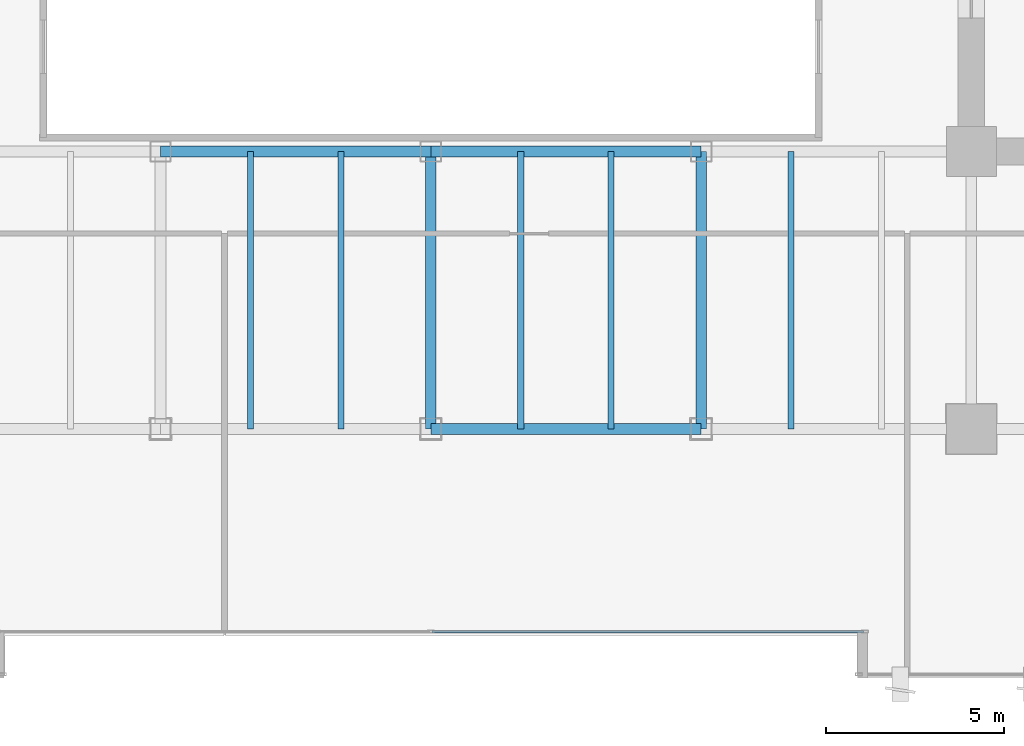
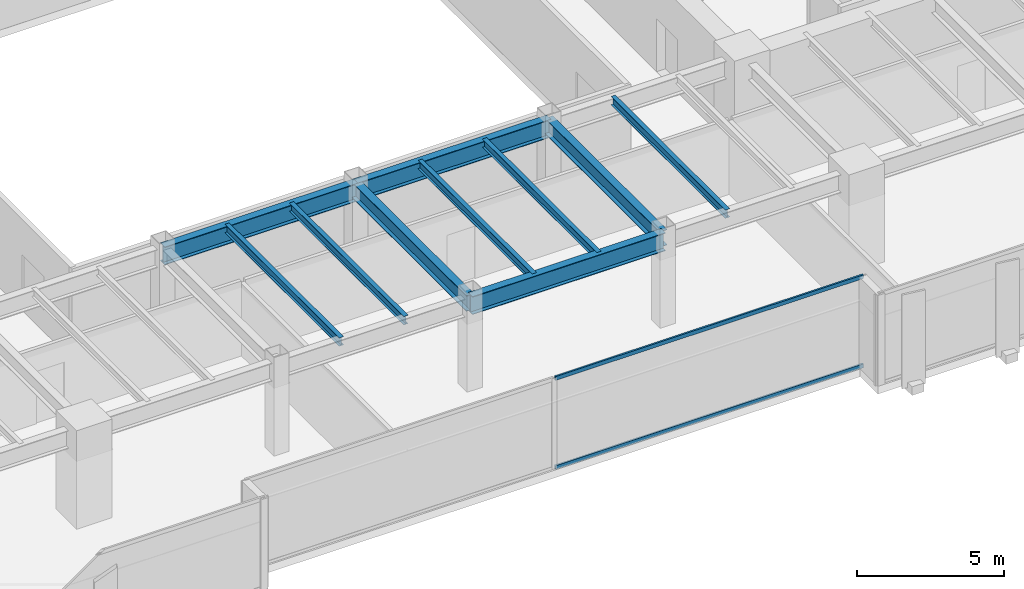
# One storey, part 9 of 37: 10 beams, 2 members, 1 element without a shape of its own.
"""IFC4 building model written with IfcOpenShell, lengths in metres."""

from ifc_helpers import new_model, si_unit, direction, frame, origin, origin_2d, place, context, subcontext, project, spatial, hollow_rectangle, i_section, extrude, source, transform, mapped, material, layer, layer_set, material_profile, profile_set, type_object, type_shapes, element, aggregate, save


model = new_model("IFC4")

# Units and contexts
model_context = context("Model", 3, precision=1e-05, world=origin(), true_north=direction((0.0, 1.0)))
body_context = subcontext(model_context, "Body", "Model", "MODEL_VIEW")
ifc_project = project(units=[si_unit("LENGTHUNIT", "METRE"), si_unit("AREAUNIT", "SQUARE_METRE"), si_unit("VOLUMEUNIT", "CUBIC_METRE"), si_unit("PLANEANGLEUNIT", "RADIAN"), si_unit("MASSUNIT", "GRAM", prefix="KILO")], contexts=[model_context])

# Site, building, storey
site_placement = place(None, origin())
site = spatial("IfcSite", under=ifc_project, at=site_placement, CompositionType="ELEMENT")
building_placement = place(site_placement, origin())
building = spatial("IfcBuilding", under=site, at=building_placement, Name="Haelvirn Gate Laboratories", CompositionType="ELEMENT")
storey_placement = place(building_placement, frame((0.0, 0.0, 74.39990234375)))
storey = spatial("IfcBuildingStorey", under=building, at=storey_placement, Name="L18", CompositionType="ELEMENT", Elevation=74.39990234375)

# Beams
ifc_material_1 = material(Name="Steel SM355", Category="steel")
ifc_material_profile_1 = material_profile(ifc_material_1, i_section(OverallWidth=0.300048828125, OverallDepth=0.75, WebThickness=0.013916015625, FlangeThickness=0.02392578125, at=origin_2d()), Name="H-750x300x14x24")
ifc_profile_set_1 = profile_set([ifc_material_profile_1], Name="Steel SM355")
beam_type_1 = type_object("IfcBeamType", Name="BM-G-750", PredefinedType="BEAM", material=ifc_profile_set_1)
shared_shape_1 = source(origin(), body_context, "Body", "SweptSolid", [
    extrude(i_section(OverallWidth=0.300048828125, OverallDepth=0.75, WebThickness=0.013916015625, FlangeThickness=0.02392578125, at=origin_2d()), origin(), (0.0, 0.0, 1.0), 7.60009765625),
])
for number, where, z_axis, x_axis, name in (
    (1, (37.39990234375, 7.0, 3.405029296875), (1.0, 0.0, 0.0), (0.0, 1.0, 0.0), "L18 Primary Girder Y7.0 (37.4-45.0)"),
    (2, (37.39990234375, 14.800048828125, 3.405029296875), (1.0, 0.0, 0.0), (0.0, 1.0, 0.0), "L18 Primary Girder Y14.8 (37.4-45.0)"),
):
    element("IfcBeam", number, at=place(storey_placement, frame(where, z_axis=z_axis, x_axis=x_axis)), inside=storey, type_object=beam_type_1, Name=name, PredefinedType="BEAM", context=body_context, shape_type="MappedRepresentation", body=[
        mapped(shared_shape_1, transform((0.0, 0.0, 0.0), scale=1.0)),
    ])
shared_shape_2 = source(origin(), body_context, "Body", "SweptSolid", [
    extrude(i_section(OverallWidth=0.300048828125, OverallDepth=0.75, WebThickness=0.013916015625, FlangeThickness=0.02392578125, at=origin_2d()), origin(), (0.0, 0.0, 1.0), 7.599853515625),
])
type_shapes(beam_type_1, [shared_shape_1, shared_shape_2])
beam_placement = place(storey_placement, frame((29.800048828125, 14.800048828125, 3.405029296875), z_axis=(1.0, 0.0, 0.0), x_axis=(0.0, 1.0, 0.0)))
element("IfcBeam", 3, at=beam_placement, inside=storey, type_object=beam_type_1, Name="L18 Primary Girder Y14.8 (29.8-37.4)", PredefinedType="BEAM", context=body_context, shape_type="MappedRepresentation", body=[
    mapped(shared_shape_2, transform((0.0, 0.0, 0.0), scale=1.0)),
])
ifc_material_profile_2 = material_profile(ifc_material_1, i_section(OverallWidth=0.175048828125, OverallDepth=0.35009765625, WebThickness=0.007080078125, FlangeThickness=0.010986328125, at=origin_2d()), Name="H-350x175x7x11")
ifc_profile_set_2 = profile_set([ifc_material_profile_2], Name="Steel SM355")
beam_type_2 = type_object("IfcBeamType", Name="BM-J-350", PredefinedType="JOIST", material=ifc_profile_set_2)
shared_shape_3 = source(origin(), body_context, "Body", "SweptSolid", [
    extrude(i_section(OverallWidth=0.175048828125, OverallDepth=0.35009765625, WebThickness=0.007080078125, FlangeThickness=0.010986328125, at=origin_2d()), origin(), (0.0, 0.0, 1.0), 7.800048828125),
])
type_shapes(beam_type_2, [shared_shape_3])
for number, where, z_axis, x_axis, name in (
    (4, (32.330078125, 7.0, 3.60498046875), (0.0, 1.0, 0.0), (-1.0, 0.0, 0.0), "L18 Composite Lab Joist South X32.33"),
    (5, (34.8701171875, 7.0, 3.60498046875), (0.0, 1.0, 0.0), (-1.0, 0.0, 0.0), "L18 Composite Lab Joist South X34.87"),
    (6, (39.929931640625, 7.0, 3.60498046875), (0.0, 1.0, 0.0), (-1.0, 0.0, 0.0), "L18 Composite Lab Joist South X39.93"),
    (7, (42.469970703125, 7.0, 3.60498046875), (0.0, 1.0, 0.0), (-1.0, 0.0, 0.0), "L18 Composite Lab Joist South X42.47"),
    (8, (47.530029296875, 7.0, 3.60498046875), (0.0, 1.0, 0.0), (-1.0, 0.0, 0.0), "L18 Composite Lab Joist South X47.53"),
):
    element("IfcBeam", number, at=place(storey_placement, frame(where, z_axis=z_axis, x_axis=x_axis)), inside=storey, type_object=beam_type_2, Name=name, PredefinedType="JOIST", context=body_context, shape_type="MappedRepresentation", body=[
        mapped(shared_shape_3, transform((0.0, 0.0, 0.0), scale=1.0)),
    ])
ifc_material_profile_3 = material_profile(ifc_material_1, i_section(OverallWidth=0.300048828125, OverallDepth=0.64990234375, WebThickness=0.012939453125, FlangeThickness=0.02197265625, at=origin_2d()), Name="H-650x300x13x22")
ifc_profile_set_3 = profile_set([ifc_material_profile_3], Name="Steel SM355")
beam_type_3 = type_object("IfcBeamType", Name="BM-G-650", PredefinedType="BEAM", material=ifc_profile_set_3)
shared_shape_4 = source(origin(), body_context, "Body", "SweptSolid", [
    extrude(i_section(OverallWidth=0.300048828125, OverallDepth=0.64990234375, WebThickness=0.012939453125, FlangeThickness=0.02197265625, at=origin_2d()), origin(), (0.0, 0.0, 1.0), 7.800048828125),
])
type_shapes(beam_type_3, [shared_shape_4])
for number, where, z_axis, x_axis, name in (
    (9, (37.39990234375, 7.0, 3.455078125), (0.0, 1.0, 0.0), (-1.0, 0.0, 0.0), "L18 Frame Girder X37.4 (7.0-14.8)"),
    (10, (45.0, 7.0, 3.455078125), (0.0, 1.0, 0.0), (-1.0, 0.0, 0.0), "L18 Frame Girder X45.0 (7.0-14.8)"),
):
    element("IfcBeam", number, at=place(storey_placement, frame(where, z_axis=z_axis, x_axis=x_axis)), inside=storey, type_object=beam_type_3, Name=name, PredefinedType="BEAM", context=body_context, shape_type="MappedRepresentation", body=[
        mapped(shared_shape_4, transform((0.0, 0.0, 0.0), scale=1.0)),
    ])

# Curtain wall, members
ifc_material_2 = material(Name="Anodised bronze unitised aluminium & triple low-E glass", Category="aluminium")
ifc_layer = layer(ifc_material_2, 0.18408203125, Name="CW-SYS-2")
ifc_layer_set = layer_set([ifc_layer], Name="Anodised bronze unitised aluminium & triple low-E glass")
curtain_wall_type = type_object("IfcCurtainWallType", Name="CW-SYS-2", PredefinedType="NOTDEFINED", material=ifc_layer_set)
curtain_wall_placement = place(storey_placement, origin())
curtain_wall = element("IfcCurtainWall", 11, at=curtain_wall_placement, inside=storey, type_object=curtain_wall_type, Name="L18 Unitised Curtain Wall CW-L18-P0-E02-1", PredefinedType="NOTDEFINED")
ifc_material_3 = material(Name="Extruded aluminium 6063-T6 (anodised bronze)", Category="aluminium")
ifc_material_profile_4 = material_profile(ifc_material_3, hollow_rectangle(XDim=0.070068359375, YDim=0.159912109375, WallThickness=0.0048828125, at=origin_2d()), Name="CWT-160x70x5")
ifc_profile_set_4 = profile_set([ifc_material_profile_4], Name="Extruded aluminium 6063-T6 (anodised bronze)")
member_type = type_object("IfcMemberType", Name="CWT-T160", PredefinedType="USERDEFINED", material=ifc_profile_set_4)
shared_shape_5 = source(origin(), body_context, "Body", "SweptSolid", [
    extrude(hollow_rectangle(XDim=0.070068359375, YDim=0.159912109375, WallThickness=0.0048828125, at=origin_2d()), origin(), (0.0, 0.0, 1.0), 12.12744140625),
])
type_shapes(member_type, [shared_shape_5])
member_1_placement = place(storey_placement, frame((37.4375, 1.300048828125, 0.03515625), z_axis=(1.0, 0.0, 0.0), x_axis=(0.0, 1.0, 0.0)))
member_1 = element("IfcMember", 12, at=member_1_placement, type_object=member_type, Name="CW2 transom 2.1", ObjectType="TRANSOM", PredefinedType="USERDEFINED", context=body_context, shape_type="MappedRepresentation", body=[
    mapped(shared_shape_5, transform((0.0, 0.0, 0.0), scale=1.0)),
])
member_2_placement = place(storey_placement, frame((37.4375, 1.300048828125, 3.7451171875), z_axis=(1.0, 0.0, 0.0), x_axis=(0.0, 1.0, 0.0)))
member_2 = element("IfcMember", 13, at=member_2_placement, type_object=member_type, Name="CW2 transom 2.2", ObjectType="TRANSOM", PredefinedType="USERDEFINED", context=body_context, shape_type="MappedRepresentation", body=[
    mapped(shared_shape_5, transform((0.0, 0.0, 0.0), scale=1.0)),
])
aggregate(curtain_wall, [member_1, member_2])

save(model, "model.ifc")
